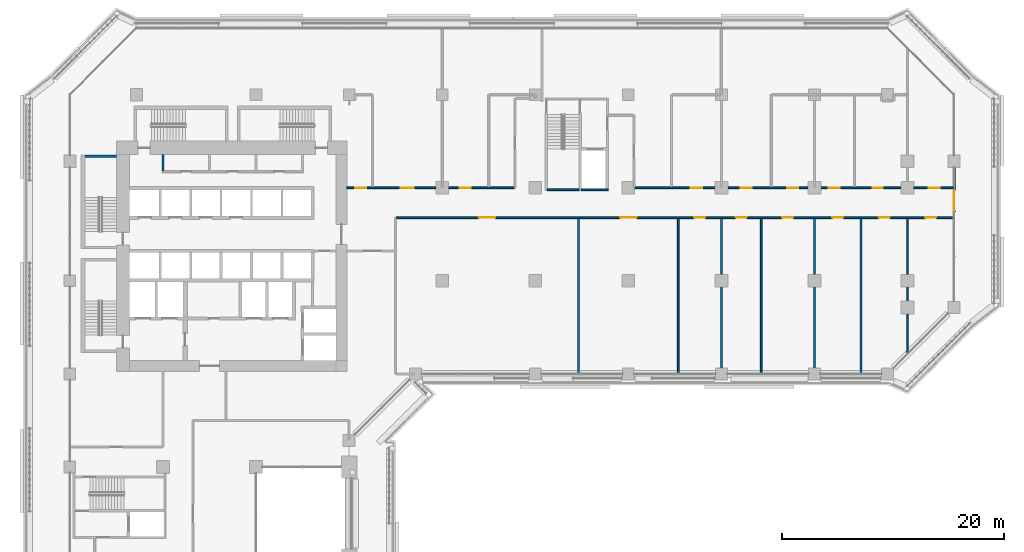
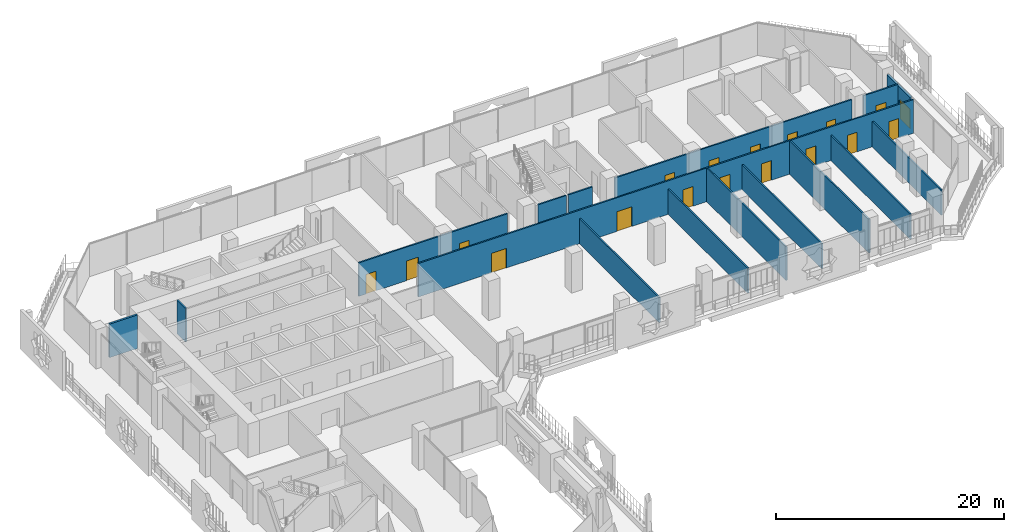
# One storey, part 15 of 27: 18 doors, 16 walls, 18 openings.
"""IFC4 building model written with IfcOpenShell, lengths in metres."""

import ifcopenshell
import ifcopenshell.guid

model = None  # the IFC model being written
_history = None  # IfcOwnerHistory: only IFC2X3 demands one
_inside = {}  # id of a spatial element -> (the spatial element, [elements in it])
_under = {}  # id of a project, library or spatial element -> (it, [spatial elements below it])
_declared = {}  # id of a project -> (the project, [libraries it declares])
_typed = {}  # id of a type object -> (the type object, [elements of that type])
_made_of = {}  # id of a material, layer set ... -> (it, [elements and type objects made of it])


def new_model(schema):
    """Start an empty IFC model of exactly this schema.

    Asked for "IFC4X3", IfcOpenShell would pick the latest addendum, in which some entities
    have other attributes; the version numbers below select the first issue.
    IFC2X3 requires an IfcOwnerHistory on every rooted entity: one is made here for all.
    """
    global model, _history
    if schema == "IFC4X3":
        model = ifcopenshell.file(schema_version=(4, 3, 0, 0))
    else:
        model = ifcopenshell.file(schema=schema)
    _inside.clear()
    _under.clear()
    _declared.clear()
    _typed.clear()
    _made_of.clear()
    _history = None
    if model.schema == "IFC2X3":
        org = make("IfcOrganization", Name="unknown")
        user = make(
            "IfcPersonAndOrganization",
            ThePerson=make("IfcPerson", FamilyName="unknown"),
            TheOrganization=org,
        )
        app = make(
            "IfcApplication",
            ApplicationDeveloper=org,
            Version="unknown",
            ApplicationFullName="unknown",
            ApplicationIdentifier="unknown",
        )
        _history = make(
            "IfcOwnerHistory",
            OwningUser=user,
            OwningApplication=app,
            ChangeAction="ADDED",
            CreationDate=0,
        )
    return model


def make(cls, **values):
    """One entity of the class cls with the attributes given. An attribute that is None is left unset."""
    return model.create_entity(
        cls, **{name: value for name, value in values.items() if value is not None}
    )


def rooted(cls, **values):
    """An entity with a GlobalId (a new one), such as an element, a storey or a relation."""
    return make(cls, GlobalId=ifcopenshell.guid.new(), OwnerHistory=_history, **values)


def si_unit(unit_type, name, prefix=None):
    """IfcSIUnit, for example si_unit("LENGTHUNIT", "METRE", prefix="MILLI")."""
    return make("IfcSIUnit", UnitType=unit_type, Prefix=prefix, Name=name)


def assignment(units):
    """IfcUnitAssignment: the units of a project."""
    return None if units is None else make("IfcUnitAssignment", Units=units)


def point(xyz):
    """IfcCartesianPoint."""
    return None if xyz is None else make("IfcCartesianPoint", Coordinates=xyz)


def direction(xyz):
    """IfcDirection."""
    return None if xyz is None else make("IfcDirection", DirectionRatios=xyz)


def frame(location, z_axis=None, x_axis=None):
    """IfcAxis2Placement3D, a coordinate frame: its origin and axes. An axis left out is left unset."""
    return make(
        "IfcAxis2Placement3D",
        Location=point(location),
        Axis=direction(z_axis),
        RefDirection=direction(x_axis),
    )


def frame_2d(location, x_axis=None):
    """IfcAxis2Placement2D, a coordinate frame in the plane: its origin and x axis."""
    return make(
        "IfcAxis2Placement2D", Location=point(location), RefDirection=direction(x_axis)
    )


def origin():
    """The frame at (0, 0, 0) with its axes left unset."""
    return frame((0.0, 0.0, 0.0))


def place(relative_to, where):
    """IfcLocalPlacement: puts the frame where relative to a parent placement (None: the world)."""
    return make(
        "IfcLocalPlacement", PlacementRelTo=relative_to, RelativePlacement=where
    )


def context(
    kind, dimensions, precision=None, world=None, true_north=None, identifier=None
):
    """IfcGeometricRepresentationContext, for example the 3D "Model" context."""
    return make(
        "IfcGeometricRepresentationContext",
        ContextIdentifier=identifier,
        ContextType=kind,
        CoordinateSpaceDimension=dimensions,
        Precision=precision,
        WorldCoordinateSystem=world,
        TrueNorth=true_north,
    )


def subcontext(parent, identifier, kind, view, scale=None):
    """IfcGeometricRepresentationSubContext, for example "Body" below "Model"."""
    return make(
        "IfcGeometricRepresentationSubContext",
        ContextIdentifier=identifier,
        ContextType=kind,
        ParentContext=parent,
        TargetScale=scale,
        TargetView=view,
    )


def project(units=None, contexts=None):
    """IfcProject with its units and contexts."""
    return rooted(
        "IfcProject",
        Name="project",
        RepresentationContexts=contexts,
        UnitsInContext=assignment(units),
    )


def spatial(cls, under=None, at=None, **own):
    """A site, building, storey or space (cls), placed at a placement, below another one or the project."""
    s = rooted(cls, ObjectPlacement=at, **own)
    if under is not None:
        _under.setdefault(under.id(), (under, []))[1].append(s)
    return s


def profile(cls, at=None, kind="AREA", **sizes):
    """A parametric profile (cls). Its sizes go by their IFC names, for example OverallWidth=200.0."""
    return make(cls, ProfileType=kind, Position=at, **sizes)


def rectangle(**sizes):
    """IfcRectangleProfileDef."""
    return profile("IfcRectangleProfileDef", **sizes)


def extrude(swept, where, along, depth):
    """IfcExtrudedAreaSolid: the profile swept, set in the frame where, extruded along a direction by depth."""
    return make(
        "IfcExtrudedAreaSolid",
        SweptArea=swept,
        Position=where,
        ExtrudedDirection=direction(along),
        Depth=depth,
    )


def shape(context_of_items, identifier, shape_type, items):
    """IfcShapeRepresentation: the items that make up one representation, for example the "Body"."""
    return make(
        "IfcShapeRepresentation",
        ContextOfItems=context_of_items,
        RepresentationIdentifier=identifier,
        RepresentationType=shape_type,
        Items=items,
    )


def material(Name=None, Category=None):
    """IfcMaterial."""
    return make("IfcMaterial", Name=Name, Category=Category)


def layer(
    of_material, thickness, ventilated=None, Name=None, Category=None, Priority=None
):
    """IfcMaterialLayer: one layer of a wall or slab, of a material (None: an air gap)."""
    return make(
        "IfcMaterialLayer",
        Material=of_material,
        LayerThickness=thickness,
        IsVentilated=ventilated,
        Name=Name,
        Category=Category,
        Priority=Priority,
    )


def layer_set(layers, Name=None):
    """IfcMaterialLayerSet."""
    return make("IfcMaterialLayerSet", MaterialLayers=layers, LayerSetName=Name)


def made_of(thing, what):
    """Note that an element or type object is made of a material, layer set ...; save() writes the relation."""
    if what is not None:
        _made_of.setdefault(what.id(), (what, []))[1].append(thing)
    return thing


def type_object(cls, material=None, **own):
    """A type object (cls), such as IfcWallType, which elements share."""
    return made_of(rooted(cls, **own), material)


def element(
    cls,
    number,
    at=None,
    inside=None,
    cuts=None,
    type_object=None,
    material=None,
    context=None,
    identifier="Body",
    shape_type=None,
    held_by="IfcProductDefinitionShape",
    body=None,
    shapes=None,
    **own,
):
    """One element of the class cls, such as IfcWall. Its Tag is "e" and its number.

    at: its placement. inside: the storey or other place that contains it. cuts: it is an
    opening in that element (IfcRelVoidsElement). A single representation is given by context,
    identifier, shape_type and body (its items); several are given by shapes. held_by: the class
    of the entity that holds the representations. save() writes the other relations.
    """
    e = rooted(cls, Tag="e%d" % number, ObjectPlacement=at, **own)
    if body is not None:
        shapes = [shape(context, identifier, shape_type, body)]
    if shapes is not None:
        e.Representation = make(held_by, Representations=shapes)
    if inside is not None:
        _inside.setdefault(inside.id(), (inside, []))[1].append(e)
    if cuts is not None:
        rooted(
            "IfcRelVoidsElement", RelatingBuildingElement=cuts, RelatedOpeningElement=e
        )
    if type_object is not None:
        _typed.setdefault(type_object.id(), (type_object, []))[1].append(e)
    return made_of(e, material)


def fill(opening, filler):
    """IfcRelFillsElement: the door or window that sits in an opening."""
    return rooted(
        "IfcRelFillsElement",
        RelatingOpeningElement=opening,
        RelatedBuildingElement=filler,
    )


def aggregate(whole, parts):
    """IfcRelAggregates: a whole, such as a stair, and the parts it consists of."""
    return rooted("IfcRelAggregates", RelatingObject=whole, RelatedObjects=parts)


def save(model, path):
    """Write the relations noted so far, then the file.

    IfcRelAggregates (storeys below a building ...), IfcRelContainedInSpatialStructure (elements
    in a storey), IfcRelDefinesByType, IfcRelAssociatesMaterial and IfcRelDeclares: one each for
    every whole, place, type object, material and project.
    """
    for whole, parts in _under.values():
        aggregate(whole, parts)
    for where, things in _inside.values():
        rooted(
            "IfcRelContainedInSpatialStructure",
            RelatedElements=things,
            RelatingStructure=where,
        )
    for kind, things in _typed.values():
        rooted("IfcRelDefinesByType", RelatedObjects=things, RelatingType=kind)
    for what, things in _made_of.values():
        rooted("IfcRelAssociatesMaterial", RelatedObjects=things, RelatingMaterial=what)
    for by, libraries in _declared.values():
        rooted("IfcRelDeclares", RelatingContext=by, RelatedDefinitions=libraries)
    model.write(path)


model = new_model("IFC4")

# Units and contexts
model_context = context("Model", 3, precision=1e-05, world=origin(), true_north=direction((0.0, 1.0)))
body_context = subcontext(model_context, "Body", "Model", "MODEL_VIEW")
ifc_project = project(units=[si_unit("LENGTHUNIT", "METRE"), si_unit("AREAUNIT", "SQUARE_METRE"), si_unit("VOLUMEUNIT", "CUBIC_METRE"), si_unit("PLANEANGLEUNIT", "RADIAN"), si_unit("MASSUNIT", "GRAM", prefix="KILO")], contexts=[model_context])

# Site, building, storey
site_placement = place(None, origin())
site = spatial("IfcSite", under=ifc_project, at=site_placement, CompositionType="ELEMENT")
building_placement = place(site_placement, origin())
building = spatial("IfcBuilding", under=site, at=building_placement, Name="Kawkab Arch Medical Tower", CompositionType="ELEMENT")
storey_placement = place(building_placement, frame((0.0, 0.0, 103.0)))
storey = spatial("IfcBuildingStorey", under=building, at=storey_placement, Name="L23", CompositionType="ELEMENT", Elevation=103.0)

# Wall
ifc_material_1 = material(Name="Gypsum board on steel studs", Category="steel")
ifc_layer_1 = layer(ifc_material_1, 0.14990234375)
ifc_layer_set_1 = layer_set([ifc_layer_1], Name="Gypsum board on steel studs")
wall_type_1 = type_object("IfcWallType", Name="Core room partition 150", PredefinedType="PARTITIONING", material=ifc_layer_set_1)
wall_1_placement = place(storey_placement, frame((8.39990234375, -6.875, 0.0), z_axis=(0.0, 0.0, 1.0), x_axis=(0.0, 1.0, 0.0)))
element("IfcWall", 1, at=wall_1_placement, inside=storey, type_object=wall_type_1, Name="L23 core room partition", PredefinedType="PARTITIONING", context=body_context, shape_type="SweptSolid", body=[
    extrude(rectangle(XDim=1.47509765625, YDim=0.14990234375, at=frame_2d((0.737548828125, 0.0))), origin(), (0.0, 0.0, 1.0), 3.60009765625),
])

# Wall, opening, door
ifc_material_2 = material(Name="Bronze clad insulated wall panel")
ifc_layer_2 = layer(ifc_material_2, 0.25)
ifc_layer_set_2 = layer_set([ifc_layer_2], Name="Bronze clad insulated wall panel")
wall_type_2 = type_object("IfcWallType", Name="External wall bay 250", PredefinedType="SOLIDWALL", material=ifc_layer_set_2)
wall_2_placement = place(storey_placement, frame((79.800048828125, -10.583251953125, 0.0), z_axis=(0.0, 0.0, 1.0), x_axis=(0.0, 1.0, 0.0)))
wall_2 = element("IfcWall", 2, at=wall_2_placement, inside=storey, type_object=wall_type_2, Name="External wall bay L23.R09.1.3", PredefinedType="SOLIDWALL", context=body_context, shape_type="SweptSolid", body=[
    extrude(rectangle(XDim=4.033203125, YDim=0.25, at=frame_2d((2.0166015625, 0.0))), origin(), (0.0, 0.0, 1.0), 3.47998046875),
])
opening_1_placement = place(wall_2_placement, frame((0.11669921875, 0.0, 0.0)))
opening_1 = element("IfcOpeningElement", 3, at=opening_1_placement, cuts=wall_2, Name="Opening B23-701", PredefinedType="OPENING", context=body_context, shape_type="SweptSolid", body=[
    extrude(rectangle(XDim=1.800048828125, YDim=2.10009765625, at=frame_2d((0.89990234375, 1.050048828125))), frame((0.0, 0.135009765625, 0.0), z_axis=(0.0, -1.0, 0.0), x_axis=(1.0, 0.0, 0.0)), (0.0, 0.0, 1.0), 0.27001953125),
])
ifc_material_3 = material(Name="Bronze anodised aluminium door with tinted glass", Category="aluminium")
door_type_1 = type_object("IfcDoorType", Name="Double external door 1800 x 2100", OperationType="DOUBLE_DOOR_SINGLE_SWING", PredefinedType="DOOR", material=ifc_material_3)
door_1_placement = place(opening_1_placement, origin())
door_1 = element("IfcDoor", 4, at=door_1_placement, inside=storey, type_object=door_type_1, Name="External door L23.R09.1.3", OperationType="DOUBLE_DOOR_SINGLE_SWING", OverallHeight=2.10009765625, OverallWidth=1.800048828125, PredefinedType="DOOR", context=body_context, shape_type="SweptSolid", body=[
    extrude(rectangle(XDim=1.800048828125, YDim=2.10009765625, at=frame_2d((0.89990234375, 1.050048828125))), frame((0.0, 0.02490234375, 0.0), z_axis=(0.0, -1.0, 0.0), x_axis=(1.0, 0.0, 0.0)), (0.0, 0.0, 1.0), 0.050048828125),
])
fill(opening_1, door_1)

# Wall, openings, doors
ifc_material_4 = material(Name="Gypsum board partition on steel studs, mineral wool", Category="steel")
ifc_layer_3 = layer(ifc_material_4, 0.14990234375)
ifc_layer_set_3 = layer_set([ifc_layer_3], Name="Gypsum board partition on steel studs, mineral wool")
wall_type_3 = type_object("IfcWallType", Name="Partition 150", PredefinedType="PARTITIONING", material=ifc_layer_set_3)
wall_3_placement = place(storey_placement, frame((29.47509765625, -11.10009765625, 0.0), z_axis=(0.0, 0.0, 1.0), x_axis=(1.0, 0.0, 0.0)))
wall_3 = element("IfcWall", 5, at=wall_3_placement, inside=storey, type_object=wall_type_3, Name="Partition 150 w013", PredefinedType="PARTITIONING", context=body_context, shape_type="SweptSolid", body=[
    extrude(rectangle(XDim=50.244873046875, YDim=0.14990234375, at=frame_2d((25.12255859375, 0.0))), origin(), (0.0, 0.0, 1.0), 3.60009765625),
])
opening_2_placement = place(wall_3_placement, frame((7.425048828125, 0.0, 0.0)))
opening_2 = element("IfcOpeningElement", 6, at=opening_2_placement, cuts=wall_3, Name="Opening B23-002", PredefinedType="OPENING", context=body_context, shape_type="SweptSolid", body=[
    extrude(rectangle(XDim=1.5, YDim=2.10009765625, at=frame_2d((0.75, 1.050048828125))), frame((0.0, 0.0849609375, 0.0), z_axis=(0.0, -1.0, 0.0), x_axis=(1.0, 0.0, 0.0)), (0.0, 0.0, 1.0), 0.169921875),
])
opening_3_placement = place(wall_3_placement, frame((20.175048828125, 0.0, 0.0)))
opening_3 = element("IfcOpeningElement", 7, at=opening_3_placement, cuts=wall_3, Name="Opening B23-003", PredefinedType="OPENING", context=body_context, shape_type="SweptSolid", body=[
    extrude(rectangle(XDim=1.5, YDim=2.10009765625, at=frame_2d((0.75, 1.050048828125))), frame((0.0, 0.0849609375, 0.0), z_axis=(0.0, -1.0, 0.0), x_axis=(1.0, 0.0, 0.0)), (0.0, 0.0, 1.0), 0.169921875),
])
opening_4_placement = place(wall_3_placement, frame((26.875, 0.0, 0.0)))
opening_4 = element("IfcOpeningElement", 8, at=opening_4_placement, cuts=wall_3, Name="Opening B23-016", PredefinedType="OPENING", context=body_context, shape_type="SweptSolid", body=[
    extrude(rectangle(XDim=1.0, YDim=2.10009765625, at=frame_2d((0.5, 1.050048828125))), frame((0.0, 0.0849609375, 0.0), z_axis=(0.0, -1.0, 0.0), x_axis=(1.0, 0.0, 0.0)), (0.0, 0.0, 1.0), 0.169921875),
])
opening_5_placement = place(wall_3_placement, frame((30.625, 0.0, 0.0)))
opening_5 = element("IfcOpeningElement", 9, at=opening_5_placement, cuts=wall_3, Name="Opening B23-017", PredefinedType="OPENING", context=body_context, shape_type="SweptSolid", body=[
    extrude(rectangle(XDim=1.0, YDim=2.10009765625, at=frame_2d((0.5, 1.050048828125))), frame((0.0, 0.0849609375, 0.0), z_axis=(0.0, -1.0, 0.0), x_axis=(1.0, 0.0, 0.0)), (0.0, 0.0, 1.0), 0.169921875),
])
opening_6_placement = place(wall_3_placement, frame((34.824951171875, 0.0, 0.0)))
opening_6 = element("IfcOpeningElement", 10, at=opening_6_placement, cuts=wall_3, Name="Opening B23-018", PredefinedType="OPENING", context=body_context, shape_type="SweptSolid", body=[
    extrude(rectangle(XDim=1.0, YDim=2.10009765625, at=frame_2d((0.5, 1.050048828125))), frame((0.0, 0.0849609375, 0.0), z_axis=(0.0, -1.0, 0.0), x_axis=(1.0, 0.0, 0.0)), (0.0, 0.0, 1.0), 0.169921875),
])
opening_7_placement = place(wall_3_placement, frame((39.324951171875, 0.0, 0.0)))
opening_7 = element("IfcOpeningElement", 11, at=opening_7_placement, cuts=wall_3, Name="Opening B23-019", PredefinedType="OPENING", context=body_context, shape_type="SweptSolid", body=[
    extrude(rectangle(XDim=1.0, YDim=2.10009765625, at=frame_2d((0.5, 1.050048828125))), frame((0.0, 0.0849609375, 0.0), z_axis=(0.0, -1.0, 0.0), x_axis=(1.0, 0.0, 0.0)), (0.0, 0.0, 1.0), 0.169921875),
])
opening_8_placement = place(wall_3_placement, frame((43.52490234375, 0.0, 0.0)))
opening_8 = element("IfcOpeningElement", 12, at=opening_8_placement, cuts=wall_3, Name="Opening B23-020", PredefinedType="OPENING", context=body_context, shape_type="SweptSolid", body=[
    extrude(rectangle(XDim=1.0, YDim=2.10009765625, at=frame_2d((0.5, 1.050048828125))), frame((0.0, 0.0849609375, 0.0), z_axis=(0.0, -1.0, 0.0), x_axis=(1.0, 0.0, 0.0)), (0.0, 0.0, 1.0), 0.169921875),
])
opening_9_placement = place(wall_3_placement, frame((47.72509765625, 0.0, 0.0)))
opening_9 = element("IfcOpeningElement", 13, at=opening_9_placement, cuts=wall_3, Name="Opening B23-021", PredefinedType="OPENING", context=body_context, shape_type="SweptSolid", body=[
    extrude(rectangle(XDim=1.0, YDim=2.10009765625, at=frame_2d((0.5, 1.050048828125))), frame((0.0, 0.0849609375, 0.0), z_axis=(0.0, -1.0, 0.0), x_axis=(1.0, 0.0, 0.0)), (0.0, 0.0, 1.0), 0.169921875),
])
ifc_material_5 = material(Name="Hollow metal door leaf")
door_type_2 = type_object("IfcDoorType", Name="Double door 1500x2100 FD30S", OperationType="NOTDEFINED", PredefinedType="DOOR", material=ifc_material_5)
door_2_placement = place(opening_2_placement, origin())
door_2 = element("IfcDoor", 14, at=door_2_placement, inside=storey, type_object=door_type_2, Name="Door B23-002", OperationType="DOUBLE_DOOR_SINGLE_SWING", OverallHeight=2.10009765625, OverallWidth=1.5, PredefinedType="DOOR", context=body_context, shape_type="SweptSolid", body=[
    extrude(rectangle(XDim=1.5, YDim=2.10009765625, at=frame_2d((0.75, 1.050048828125))), frame((0.0, 0.02490234375, 0.0), z_axis=(0.0, -1.0, 0.0), x_axis=(1.0, 0.0, 0.0)), (0.0, 0.0, 1.0), 0.050048828125),
])
fill(opening_2, door_2)
door_3_placement = place(opening_3_placement, origin())
door_3 = element("IfcDoor", 15, at=door_3_placement, inside=storey, type_object=door_type_2, Name="Door B23-003", OperationType="DOUBLE_DOOR_SINGLE_SWING", OverallHeight=2.10009765625, OverallWidth=1.5, PredefinedType="DOOR", context=body_context, shape_type="SweptSolid", body=[
    extrude(rectangle(XDim=1.5, YDim=2.10009765625, at=frame_2d((0.75, 1.050048828125))), frame((0.0, 0.02490234375, 0.0), z_axis=(0.0, -1.0, 0.0), x_axis=(1.0, 0.0, 0.0)), (0.0, 0.0, 1.0), 0.050048828125),
])
fill(opening_3, door_3)
ifc_material_6 = material(Name="Hollow metal door leaf")
door_type_3 = type_object("IfcDoorType", Name="Single door 1000x2100 FD30S", OperationType="NOTDEFINED", PredefinedType="DOOR", material=ifc_material_6)
door_4_placement = place(opening_4_placement, origin())
door_4 = element("IfcDoor", 16, at=door_4_placement, inside=storey, type_object=door_type_3, Name="Door B23-016", OperationType="SINGLE_SWING_LEFT", OverallHeight=2.10009765625, OverallWidth=1.0, PredefinedType="DOOR", context=body_context, shape_type="SweptSolid", body=[
    extrude(rectangle(XDim=1.0, YDim=2.10009765625, at=frame_2d((0.5, 1.050048828125))), frame((0.0, 0.02490234375, 0.0), z_axis=(0.0, -1.0, 0.0), x_axis=(1.0, 0.0, 0.0)), (0.0, 0.0, 1.0), 0.050048828125),
])
fill(opening_4, door_4)
door_5_placement = place(opening_5_placement, origin())
door_5 = element("IfcDoor", 17, at=door_5_placement, inside=storey, type_object=door_type_3, Name="Door B23-017", OperationType="SINGLE_SWING_LEFT", OverallHeight=2.10009765625, OverallWidth=1.0, PredefinedType="DOOR", context=body_context, shape_type="SweptSolid", body=[
    extrude(rectangle(XDim=1.0, YDim=2.10009765625, at=frame_2d((0.5, 1.050048828125))), frame((0.0, 0.02490234375, 0.0), z_axis=(0.0, -1.0, 0.0), x_axis=(1.0, 0.0, 0.0)), (0.0, 0.0, 1.0), 0.050048828125),
])
fill(opening_5, door_5)
door_6_placement = place(opening_6_placement, origin())
door_6 = element("IfcDoor", 18, at=door_6_placement, inside=storey, type_object=door_type_3, Name="Door B23-018", OperationType="SINGLE_SWING_LEFT", OverallHeight=2.10009765625, OverallWidth=1.0, PredefinedType="DOOR", context=body_context, shape_type="SweptSolid", body=[
    extrude(rectangle(XDim=1.0, YDim=2.10009765625, at=frame_2d((0.5, 1.050048828125))), frame((0.0, 0.02490234375, 0.0), z_axis=(0.0, -1.0, 0.0), x_axis=(1.0, 0.0, 0.0)), (0.0, 0.0, 1.0), 0.050048828125),
])
fill(opening_6, door_6)
door_7_placement = place(opening_7_placement, origin())
door_7 = element("IfcDoor", 19, at=door_7_placement, inside=storey, type_object=door_type_3, Name="Door B23-019", OperationType="SINGLE_SWING_LEFT", OverallHeight=2.10009765625, OverallWidth=1.0, PredefinedType="DOOR", context=body_context, shape_type="SweptSolid", body=[
    extrude(rectangle(XDim=1.0, YDim=2.10009765625, at=frame_2d((0.5, 1.050048828125))), frame((0.0, 0.02490234375, 0.0), z_axis=(0.0, -1.0, 0.0), x_axis=(1.0, 0.0, 0.0)), (0.0, 0.0, 1.0), 0.050048828125),
])
fill(opening_7, door_7)
door_8_placement = place(opening_8_placement, origin())
door_8 = element("IfcDoor", 20, at=door_8_placement, inside=storey, type_object=door_type_3, Name="Door B23-020", OperationType="SINGLE_SWING_LEFT", OverallHeight=2.10009765625, OverallWidth=1.0, PredefinedType="DOOR", context=body_context, shape_type="SweptSolid", body=[
    extrude(rectangle(XDim=1.0, YDim=2.10009765625, at=frame_2d((0.5, 1.050048828125))), frame((0.0, 0.02490234375, 0.0), z_axis=(0.0, -1.0, 0.0), x_axis=(1.0, 0.0, 0.0)), (0.0, 0.0, 1.0), 0.050048828125),
])
fill(opening_8, door_8)
door_9_placement = place(opening_9_placement, origin())
door_9 = element("IfcDoor", 21, at=door_9_placement, inside=storey, type_object=door_type_3, Name="Door B23-021", OperationType="SINGLE_SWING_LEFT", OverallHeight=2.10009765625, OverallWidth=1.0, PredefinedType="DOOR", context=body_context, shape_type="SweptSolid", body=[
    extrude(rectangle(XDim=1.0, YDim=2.10009765625, at=frame_2d((0.5, 1.050048828125))), frame((0.0, 0.02490234375, 0.0), z_axis=(0.0, -1.0, 0.0), x_axis=(1.0, 0.0, 0.0)), (0.0, 0.0, 1.0), 0.050048828125),
])
fill(opening_9, door_9)

wall_4_placement = place(storey_placement, frame((25.0, -8.39990234375, 0.0), z_axis=(0.0, 0.0, 1.0), x_axis=(1.0, 0.0, 0.0)))
wall_4 = element("IfcWall", 22, at=wall_4_placement, inside=storey, type_object=wall_type_3, Name="Partition 150 w014", PredefinedType="PARTITIONING", context=body_context, shape_type="SweptSolid", body=[
    extrude(rectangle(XDim=15.10693359375, YDim=0.14990234375, at=frame_2d((7.553466796875, 0.0))), origin(), (0.0, 0.0, 1.0), 3.60009765625),
])
opening_10_placement = place(wall_4_placement, frame((10.199951171875, 0.0, 0.0)))
opening_10 = element("IfcOpeningElement", 23, at=opening_10_placement, cuts=wall_4, Name="Opening B23-008", PredefinedType="OPENING", context=body_context, shape_type="SweptSolid", body=[
    extrude(rectangle(XDim=1.0, YDim=2.10009765625, at=frame_2d((0.5, 1.050048828125))), frame((0.0, 0.0849609375, 0.0), z_axis=(0.0, -1.0, 0.0), x_axis=(1.0, 0.0, 0.0)), (0.0, 0.0, 1.0), 0.169921875),
])
opening_11_placement = place(wall_4_placement, frame((0.75, 0.0, 0.0)))
opening_11 = element("IfcOpeningElement", 24, at=opening_11_placement, cuts=wall_4, Name="Opening B23-007", PredefinedType="OPENING", context=body_context, shape_type="SweptSolid", body=[
    extrude(rectangle(XDim=1.0, YDim=2.10009765625, at=frame_2d((0.5, 1.050048828125))), frame((0.0, 0.0849609375, 0.0), z_axis=(0.0, -1.0, 0.0), x_axis=(1.0, 0.0, 0.0)), (0.0, 0.0, 1.0), 0.169921875),
])
opening_12_placement = place(wall_4_placement, frame((4.85009765625, 0.0, 0.0)))
opening_12 = element("IfcOpeningElement", 25, at=opening_12_placement, cuts=wall_4, Name="Opening B23-028", PredefinedType="OPENING", context=body_context, shape_type="SweptSolid", body=[
    extrude(rectangle(XDim=1.199951171875, YDim=2.10009765625, at=frame_2d((0.60009765625, 1.050048828125))), frame((0.0, 0.0849609375, 0.0), z_axis=(0.0, -1.0, 0.0), x_axis=(1.0, 0.0, 0.0)), (0.0, 0.0, 1.0), 0.169921875),
])
ifc_material_7 = material(Name="Timber door leaf", Category="wood")
door_type_4 = type_object("IfcDoorType", Name="Single door 1000x2100", OperationType="NOTDEFINED", PredefinedType="DOOR", material=ifc_material_7)
door_10_placement = place(opening_11_placement, origin())
door_10 = element("IfcDoor", 26, at=door_10_placement, inside=storey, type_object=door_type_4, Name="Door B23-007", OperationType="SINGLE_SWING_LEFT", OverallHeight=2.10009765625, OverallWidth=1.0, PredefinedType="DOOR", context=body_context, shape_type="SweptSolid", body=[
    extrude(rectangle(XDim=1.0, YDim=2.10009765625, at=frame_2d((0.5, 1.050048828125))), frame((0.0, 0.02490234375, 0.0), z_axis=(0.0, -1.0, 0.0), x_axis=(1.0, 0.0, 0.0)), (0.0, 0.0, 1.0), 0.050048828125),
])
fill(opening_11, door_10)
door_11_placement = place(opening_10_placement, origin())
door_11 = element("IfcDoor", 27, at=door_11_placement, inside=storey, type_object=door_type_3, Name="Door B23-008", OperationType="SINGLE_SWING_RIGHT", OverallHeight=2.10009765625, OverallWidth=1.0, PredefinedType="DOOR", context=body_context, shape_type="SweptSolid", body=[
    extrude(rectangle(XDim=1.0, YDim=2.10009765625, at=frame_2d((0.5, 1.050048828125))), frame((0.0, 0.02490234375, 0.0), z_axis=(0.0, -1.0, 0.0), x_axis=(1.0, 0.0, 0.0)), (0.0, 0.0, 1.0), 0.050048828125),
])
fill(opening_10, door_11)
ifc_material_8 = material(Name="Hollow metal door leaf")
door_type_5 = type_object("IfcDoorType", Name="Single door 1200x2100 FD30S", OperationType="NOTDEFINED", PredefinedType="DOOR", material=ifc_material_8)
door_12_placement = place(opening_12_placement, origin())
door_12 = element("IfcDoor", 28, at=door_12_placement, inside=storey, type_object=door_type_5, Name="Door B23-028", OperationType="SINGLE_SWING_LEFT", OverallHeight=2.10009765625, OverallWidth=1.199951171875, PredefinedType="DOOR", context=body_context, shape_type="SweptSolid", body=[
    extrude(rectangle(XDim=1.199951171875, YDim=2.10009765625, at=frame_2d((0.60009765625, 1.050048828125))), frame((0.0, 0.02490234375, 0.0), z_axis=(0.0, -1.0, 0.0), x_axis=(1.0, 0.0, 0.0)), (0.0, 0.0, 1.0), 0.050048828125),
])
fill(opening_12, door_12)

wall_5_placement = place(storey_placement, frame((51.0, -8.39990234375, 0.0), z_axis=(0.0, 0.0, 1.0), x_axis=(1.0, 0.0, 0.0)))
wall_5 = element("IfcWall", 29, at=wall_5_placement, inside=storey, type_object=wall_type_3, Name="Partition 150 w015", PredefinedType="PARTITIONING", context=body_context, shape_type="SweptSolid", body=[
    extrude(rectangle(XDim=24.02490234375, YDim=0.14990234375, at=frame_2d((12.012451171875, 0.0))), origin(), (0.0, 0.0, 1.0), 3.60009765625),
])
opening_13_placement = place(wall_5_placement, frame((5.050048828125, 0.0, 0.0)))
opening_13 = element("IfcOpeningElement", 30, at=opening_13_placement, cuts=wall_5, Name="Opening B23-011", PredefinedType="OPENING", context=body_context, shape_type="SweptSolid", body=[
    extrude(rectangle(XDim=1.0, YDim=2.10009765625, at=frame_2d((0.5, 1.050048828125))), frame((0.0, 0.0849609375, 0.0), z_axis=(0.0, -1.0, 0.0), x_axis=(1.0, 0.0, 0.0)), (0.0, 0.0, 1.0), 0.169921875),
])
opening_14_placement = place(wall_5_placement, frame((9.550048828125, 0.0, 0.0)))
opening_14 = element("IfcOpeningElement", 31, at=opening_14_placement, cuts=wall_5, Name="Opening B23-012", PredefinedType="OPENING", context=body_context, shape_type="SweptSolid", body=[
    extrude(rectangle(XDim=1.0, YDim=2.10009765625, at=frame_2d((0.5, 1.050048828125))), frame((0.0, 0.0849609375, 0.0), z_axis=(0.0, -1.0, 0.0), x_axis=(1.0, 0.0, 0.0)), (0.0, 0.0, 1.0), 0.169921875),
])
opening_15_placement = place(wall_5_placement, frame((13.75, 0.0, 0.0)))
opening_15 = element("IfcOpeningElement", 32, at=opening_15_placement, cuts=wall_5, Name="Opening B23-013", PredefinedType="OPENING", context=body_context, shape_type="SweptSolid", body=[
    extrude(rectangle(XDim=1.0, YDim=2.10009765625, at=frame_2d((0.5, 1.050048828125))), frame((0.0, 0.0849609375, 0.0), z_axis=(0.0, -1.0, 0.0), x_axis=(1.0, 0.0, 0.0)), (0.0, 0.0, 1.0), 0.169921875),
])
opening_16_placement = place(wall_5_placement, frame((17.5, 0.0, 0.0)))
opening_16 = element("IfcOpeningElement", 33, at=opening_16_placement, cuts=wall_5, Name="Opening B23-014", PredefinedType="OPENING", context=body_context, shape_type="SweptSolid", body=[
    extrude(rectangle(XDim=1.0, YDim=2.10009765625, at=frame_2d((0.5, 1.050048828125))), frame((0.0, 0.0849609375, 0.0), z_axis=(0.0, -1.0, 0.0), x_axis=(1.0, 0.0, 0.0)), (0.0, 0.0, 1.0), 0.169921875),
])
opening_17_placement = place(wall_5_placement, frame((21.4619140625, 0.0, 0.0)))
opening_17 = element("IfcOpeningElement", 34, at=opening_17_placement, cuts=wall_5, Name="Opening B23-005", PredefinedType="OPENING", context=body_context, shape_type="SweptSolid", body=[
    extrude(rectangle(XDim=0.89990234375, YDim=2.10009765625, at=frame_2d((0.449951171875, 1.050048828125))), frame((0.0, 0.0849609375, 0.0), z_axis=(0.0, -1.0, 0.0), x_axis=(1.0, 0.0, 0.0)), (0.0, 0.0, 1.0), 0.169921875),
])
door_13_placement = place(opening_13_placement, origin())
door_13 = element("IfcDoor", 35, at=door_13_placement, inside=storey, type_object=door_type_3, Name="Door B23-011", OperationType="SINGLE_SWING_LEFT", OverallHeight=2.10009765625, OverallWidth=1.0, PredefinedType="DOOR", context=body_context, shape_type="SweptSolid", body=[
    extrude(rectangle(XDim=1.0, YDim=2.10009765625, at=frame_2d((0.5, 1.050048828125))), frame((0.0, 0.02490234375, 0.0), z_axis=(0.0, -1.0, 0.0), x_axis=(1.0, 0.0, 0.0)), (0.0, 0.0, 1.0), 0.050048828125),
])
fill(opening_13, door_13)
door_14_placement = place(opening_14_placement, origin())
door_14 = element("IfcDoor", 36, at=door_14_placement, inside=storey, type_object=door_type_3, Name="Door B23-012", OperationType="SINGLE_SWING_LEFT", OverallHeight=2.10009765625, OverallWidth=1.0, PredefinedType="DOOR", context=body_context, shape_type="SweptSolid", body=[
    extrude(rectangle(XDim=1.0, YDim=2.10009765625, at=frame_2d((0.5, 1.050048828125))), frame((0.0, 0.02490234375, 0.0), z_axis=(0.0, -1.0, 0.0), x_axis=(1.0, 0.0, 0.0)), (0.0, 0.0, 1.0), 0.050048828125),
])
fill(opening_14, door_14)
door_15_placement = place(opening_15_placement, origin())
door_15 = element("IfcDoor", 37, at=door_15_placement, inside=storey, type_object=door_type_3, Name="Door B23-013", OperationType="SINGLE_SWING_RIGHT", OverallHeight=2.10009765625, OverallWidth=1.0, PredefinedType="DOOR", context=body_context, shape_type="SweptSolid", body=[
    extrude(rectangle(XDim=1.0, YDim=2.10009765625, at=frame_2d((0.5, 1.050048828125))), frame((0.0, 0.02490234375, 0.0), z_axis=(0.0, -1.0, 0.0), x_axis=(1.0, 0.0, 0.0)), (0.0, 0.0, 1.0), 0.050048828125),
])
fill(opening_15, door_15)
door_16_placement = place(opening_16_placement, origin())
door_16 = element("IfcDoor", 38, at=door_16_placement, inside=storey, type_object=door_type_3, Name="Door B23-014", OperationType="SINGLE_SWING_RIGHT", OverallHeight=2.10009765625, OverallWidth=1.0, PredefinedType="DOOR", context=body_context, shape_type="SweptSolid", body=[
    extrude(rectangle(XDim=1.0, YDim=2.10009765625, at=frame_2d((0.5, 1.050048828125))), frame((0.0, 0.02490234375, 0.0), z_axis=(0.0, -1.0, 0.0), x_axis=(1.0, 0.0, 0.0)), (0.0, 0.0, 1.0), 0.050048828125),
])
fill(opening_16, door_16)
ifc_material_9 = material(Name="Timber door leaf", Category="wood")
door_type_6 = type_object("IfcDoorType", Name="Single door 900x2100", OperationType="NOTDEFINED", PredefinedType="DOOR", material=ifc_material_9)
door_17_placement = place(opening_17_placement, origin())
door_17 = element("IfcDoor", 39, at=door_17_placement, inside=storey, type_object=door_type_6, Name="Door B23-005", OperationType="SINGLE_SWING_RIGHT", OverallHeight=2.10009765625, OverallWidth=0.89990234375, PredefinedType="DOOR", context=body_context, shape_type="SweptSolid", body=[
    extrude(rectangle(XDim=0.89990234375, YDim=2.10009765625, at=frame_2d((0.449951171875, 1.050048828125))), frame((0.0, 0.02490234375, 0.0), z_axis=(0.0, -1.0, 0.0), x_axis=(1.0, 0.0, 0.0)), (0.0, 0.0, 1.0), 0.050048828125),
])
fill(opening_17, door_17)

# Wall, opening, door
wall_6_placement = place(storey_placement, frame((76.175048828125, -8.39990234375, 0.0), z_axis=(0.0, 0.0, 1.0), x_axis=(1.0, 0.0, 0.0)))
wall_6 = element("IfcWall", 40, at=wall_6_placement, inside=storey, type_object=wall_type_3, Name="Partition 150 w016", PredefinedType="PARTITIONING", context=body_context, shape_type="SweptSolid", body=[
    extrude(rectangle(XDim=3.544921875, YDim=0.14990234375, at=frame_2d((1.7724609375, 0.0))), origin(), (0.0, 0.0, 1.0), 3.60009765625),
])
opening_18_placement = place(wall_6_placement, frame((1.31201171875, 0.0, 0.0)))
opening_18 = element("IfcOpeningElement", 41, at=opening_18_placement, cuts=wall_6, Name="Opening B23-015", PredefinedType="OPENING", context=body_context, shape_type="SweptSolid", body=[
    extrude(rectangle(XDim=1.0, YDim=2.10009765625, at=frame_2d((0.5, 1.050048828125))), frame((0.0, 0.0849609375, 0.0), z_axis=(0.0, -1.0, 0.0), x_axis=(1.0, 0.0, 0.0)), (0.0, 0.0, 1.0), 0.169921875),
])
door_18_placement = place(opening_18_placement, origin())
door_18 = element("IfcDoor", 42, at=door_18_placement, inside=storey, type_object=door_type_3, Name="Door B23-015", OperationType="SINGLE_SWING_RIGHT", OverallHeight=2.10009765625, OverallWidth=1.0, PredefinedType="DOOR", context=body_context, shape_type="SweptSolid", body=[
    extrude(rectangle(XDim=1.0, YDim=2.10009765625, at=frame_2d((0.5, 1.050048828125))), frame((0.0, 0.02490234375, 0.0), z_axis=(0.0, -1.0, 0.0), x_axis=(1.0, 0.0, 0.0)), (0.0, 0.0, 1.0), 0.050048828125),
])
fill(opening_18, door_18)

# Walls
for number, where, z_axis, x_axis, name in (
    (43, (45.89990234375, -25.1201171875, 0.0), (0.0, 0.0, 1.0), (0.0, 1.0, 0.0), "Partition 150 w041"),
    (44, (54.89990234375, -25.1201171875, 0.0), (0.0, 0.0, 1.0), (0.0, 1.0, 0.0), "Partition 150 w044"),
):
    element("IfcWall", number, at=place(storey_placement, frame(where, z_axis=z_axis, x_axis=x_axis)), inside=storey, type_object=wall_type_3, Name=name, PredefinedType="PARTITIONING", context=body_context, shape_type="SweptSolid", body=[
        extrude(rectangle(XDim=13.945068359375, YDim=0.14990234375, at=frame_2d((6.97265625, 0.0))), origin(), (0.0, 0.0, 1.0), 2.699951171875),
    ])
wall_7_placement = place(storey_placement, frame((58.800048828125, -25.1201171875, 0.0), z_axis=(0.0, 0.0, 1.0), x_axis=(0.0, 1.0, 0.0)))
element("IfcWall", 45, at=wall_7_placement, inside=storey, type_object=wall_type_3, Name="Partition 150 w046", PredefinedType="PARTITIONING", context=body_context, shape_type="SweptSolid", body=[
    extrude(rectangle(XDim=13.945068359375, YDim=0.14990234375, at=frame_2d((6.97265625, 0.0))), origin(), (0.0, 0.0, 1.0), 3.60009765625),
])
wall_8_placement = place(storey_placement, frame((62.39990234375, -25.1201171875, 0.0), z_axis=(0.0, 0.0, 1.0), x_axis=(0.0, 1.0, 0.0)))
element("IfcWall", 46, at=wall_8_placement, inside=storey, type_object=wall_type_3, Name="Partition 150 w048", PredefinedType="PARTITIONING", context=body_context, shape_type="SweptSolid", body=[
    extrude(rectangle(XDim=13.945068359375, YDim=0.14990234375, at=frame_2d((6.97265625, 0.0))), origin(), (0.0, 0.0, 1.0), 2.699951171875),
])
wall_9_placement = place(storey_placement, frame((67.199951171875, -25.1201171875, 0.0), z_axis=(0.0, 0.0, 1.0), x_axis=(0.0, 1.0, 0.0)))
element("IfcWall", 47, at=wall_9_placement, inside=storey, type_object=wall_type_3, Name="Partition 150 w050", PredefinedType="PARTITIONING", context=body_context, shape_type="SweptSolid", body=[
    extrude(rectangle(XDim=13.945068359375, YDim=0.14990234375, at=frame_2d((6.97265625, 0.0))), origin(), (0.0, 0.0, 1.0), 3.60009765625),
])
wall_10_placement = place(storey_placement, frame((71.39990234375, -25.1201171875, 0.0), z_axis=(0.0, 0.0, 1.0), x_axis=(0.0, 1.0, 0.0)))
element("IfcWall", 48, at=wall_10_placement, inside=storey, type_object=wall_type_3, Name="Partition 150 w053", PredefinedType="PARTITIONING", context=body_context, shape_type="SweptSolid", body=[
    extrude(rectangle(XDim=13.945068359375, YDim=0.14990234375, at=frame_2d((6.97265625, 0.0))), origin(), (0.0, 0.0, 1.0), 2.699951171875),
])
wall_11_placement = place(storey_placement, frame((75.60009765625, -23.287109375, 0.0), z_axis=(0.0, 0.0, 1.0), x_axis=(0.0, 1.0, 0.0)))
element("IfcWall", 49, at=wall_11_placement, inside=storey, type_object=wall_type_3, Name="Partition 150 w057", PredefinedType="PARTITIONING", context=body_context, shape_type="SweptSolid", body=[
    extrude(rectangle(XDim=12.112060546875, YDim=0.14990234375, at=frame_2d((6.05615234375, 0.0))), origin(), (0.0, 0.0, 1.0), 2.699951171875),
])
ifc_material_10 = material(Name="Concrete C50/60", Category="concrete")
ifc_layer_4 = layer(ifc_material_10, 0.14990234375)
ifc_layer_set_4 = layer_set([ifc_layer_4], Name="Concrete C50/60")
wall_type_4 = type_object("IfcWallType", Name="Stair enclosure wall 150 C50/60", PredefinedType="SHEAR", material=ifc_layer_set_4)
wall_12_placement = place(storey_placement, frame((43.10009765625, -8.574951171875, 0.0), z_axis=(0.0, 0.0, 1.0), x_axis=(1.0, 0.0, 0.0)))
element("IfcWall", 50, at=wall_12_placement, inside=storey, type_object=wall_type_4, Name="L23 stair enclosure wall", PredefinedType="SHEAR", context=body_context, shape_type="SweptSolid", body=[
    extrude(rectangle(XDim=2.849853515625, YDim=0.14990234375, at=frame_2d((1.4248046875, 0.0))), origin(), (0.0, 0.0, 1.0), 3.60009765625),
])
wall_13_placement = place(storey_placement, frame((46.14990234375, -8.574951171875, 0.0), z_axis=(0.0, 0.0, 1.0), x_axis=(1.0, 0.0, 0.0)))
element("IfcWall", 51, at=wall_13_placement, inside=storey, type_object=wall_type_4, Name="L23 stair enclosure wall", PredefinedType="SHEAR", context=body_context, shape_type="SweptSolid", body=[
    extrude(rectangle(XDim=2.4501953125, YDim=0.14990234375, at=frame_2d((1.22509765625, 0.0))), origin(), (0.0, 0.0, 1.0), 3.60009765625),
])
ifc_material_11 = material(Name="Concrete C50/60", Category="concrete")
ifc_layer_5 = layer(ifc_material_11, 0.199951171875)
ifc_layer_set_5 = layer_set([ifc_layer_5], Name="Concrete C50/60")
wall_type_5 = type_object("IfcWallType", Name="Stair enclosure wall 200 C50/60", PredefinedType="SHEAR", material=ifc_layer_set_5)
wall_14_placement = place(storey_placement, frame((1.35009765625, -5.550048828125, 0.0), z_axis=(0.0, 0.0, 1.0), x_axis=(1.0, 0.0, 0.0)))
element("IfcWall", 52, at=wall_14_placement, inside=storey, type_object=wall_type_5, Name="L23 stair enclosure wall", PredefinedType="SHEAR", context=body_context, shape_type="SweptSolid", body=[
    extrude(rectangle(XDim=2.849853515625, YDim=0.199951171875, at=frame_2d((1.4248046875, 0.0))), origin(), (0.0, 0.0, 1.0), 3.60009765625),
])

save(model, "model.ifc")
